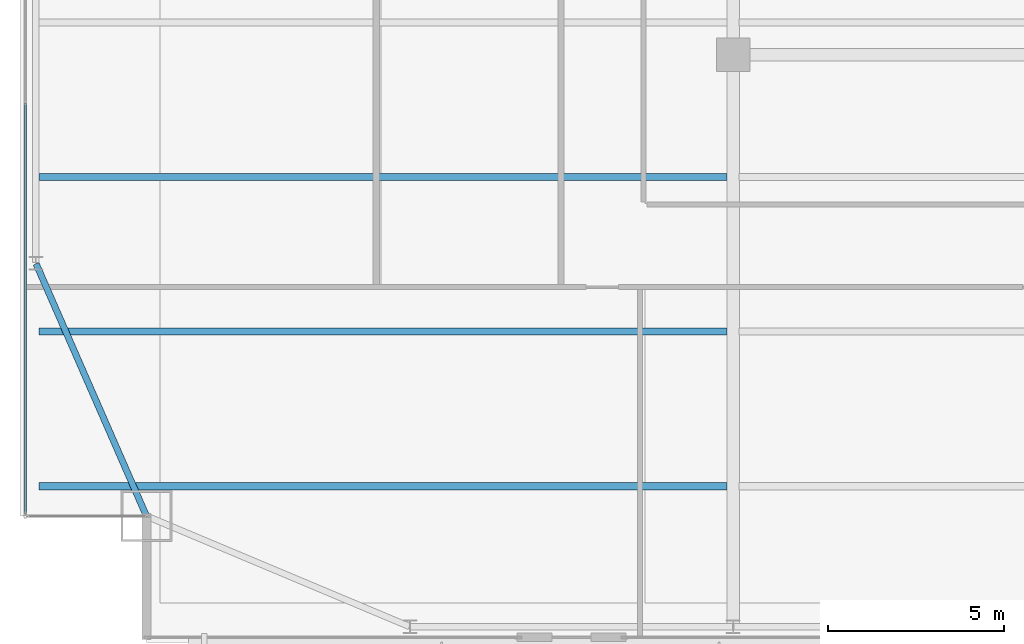
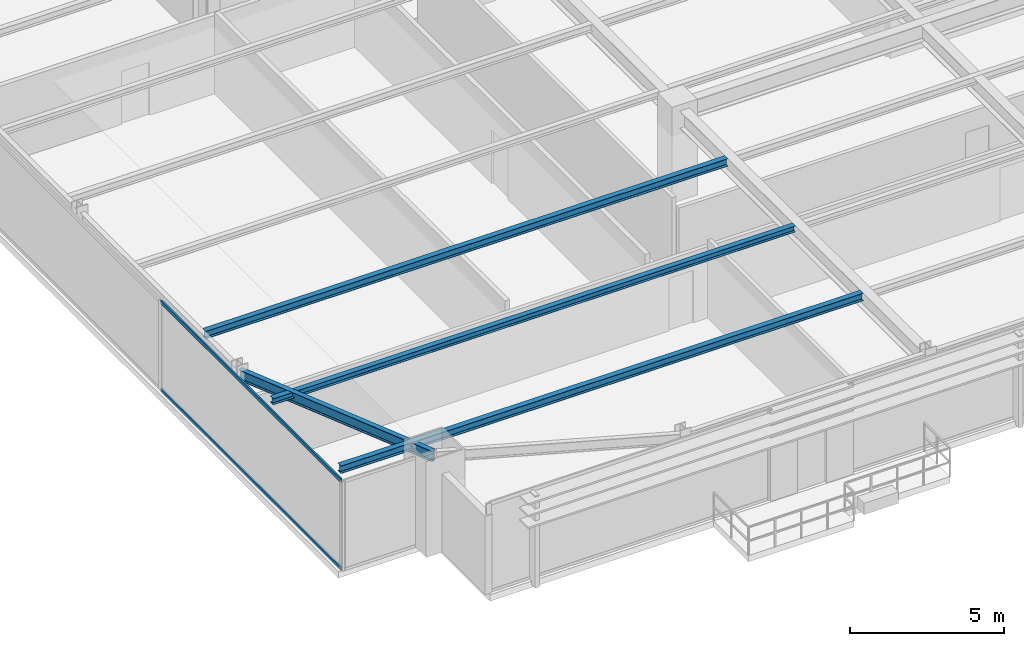
# One storey, part 5 of 32: 4 beams, 2 members, 1 element without a shape of its own.
"""IFC4 building model written with IfcOpenShell, lengths in metres."""

from ifc_helpers import new_model, si_unit, direction, frame, origin, origin_2d, place, context, subcontext, project, spatial, hollow_rectangle, i_section, extrude, source, transform, mapped, material, layer, layer_set, material_profile, profile_set, type_object, type_shapes, element, aggregate, save


model = new_model("IFC4")

# Units and contexts
model_context = context("Model", 3, precision=1e-05, world=origin(), true_north=direction((0.0, 1.0)))
body_context = subcontext(model_context, "Body", "Model", "MODEL_VIEW")
ifc_project = project(units=[si_unit("LENGTHUNIT", "METRE"), si_unit("AREAUNIT", "SQUARE_METRE"), si_unit("VOLUMEUNIT", "CUBIC_METRE"), si_unit("PLANEANGLEUNIT", "RADIAN"), si_unit("MASSUNIT", "GRAM", prefix="KILO")], contexts=[model_context])

# Site, building, storey
site_placement = place(None, origin())
site = spatial("IfcSite", under=ifc_project, at=site_placement, CompositionType="ELEMENT")
building_placement = place(site_placement, origin())
building = spatial("IfcBuilding", under=site, at=building_placement, Name="Varnel Quay Broadcast Tower", CompositionType="ELEMENT")
storey_placement = place(building_placement, frame((0.0, 0.0, 133.39990234375)))
storey = spatial("IfcBuildingStorey", under=building, at=storey_placement, Name="L32", CompositionType="ELEMENT", Elevation=133.39990234375)

# Beams
ifc_material_1 = material(Name="Structural Steel CSA G40.21 350W", Category="steel")
ifc_material_profile_1 = material_profile(ifc_material_1, i_section(OverallWidth=0.180908203125, OverallDepth=0.4169921875, WebThickness=0.010986328125, FlangeThickness=0.018310546875, FilletRadius=0.011962890625, at=origin_2d()), Name="W410X85")
ifc_profile_set_1 = profile_set([ifc_material_profile_1], Name="Structural Steel CSA G40.21 350W")
beam_type_1 = type_object("IfcBeamType", Name="Beam_W410X85", PredefinedType="SPANDREL", material=ifc_profile_set_1)
shared_shape_1 = source(origin(), body_context, "Body", "SweptSolid", [
    extrude(i_section(OverallWidth=0.180908203125, OverallDepth=0.4169921875, WebThickness=0.010986328125, FlangeThickness=0.018310546875, FilletRadius=0.011962890625, at=origin_2d()), origin(), (0.0, 0.0, 1.0), 7.81884765625),
])
type_shapes(beam_type_1, [shared_shape_1])
beam_1_placement = place(storey_placement, frame((8.092041015625, 7.818359375, 3.341552734375), z_axis=(-0.400827023998, 0.916153751743, 0.0), x_axis=(-0.916153751743, -0.400827023998, 0.0)))
element("IfcBeam", 1, at=beam_1_placement, inside=storey, type_object=beam_type_1, Name="L32 West Spandrel MC-SW-TC-W1", PredefinedType="SPANDREL", context=body_context, shape_type="MappedRepresentation", body=[
    mapped(shared_shape_1, transform((0.0, 0.0, 0.0), x_axis=(1.0, 0.0, 0.0), y_axis=(0.0, 1.0, 0.0), z_axis=(0.0, 0.0, 1.0), scale=1.0)),
])
ifc_material_profile_2 = material_profile(ifc_material_1, i_section(OverallWidth=0.202880859375, OverallDepth=0.302978515625, WebThickness=0.007568359375, FlangeThickness=0.01318359375, FilletRadius=0.011962890625, at=origin_2d()), Name="W310X60")
ifc_profile_set_2 = profile_set([ifc_material_profile_2], Name="Structural Steel CSA G40.21 350W")
beam_type_2 = type_object("IfcBeamType", Name="Beam_W310X60", PredefinedType="JOIST", material=ifc_profile_set_2)
shared_shape_2 = source(origin(), body_context, "Body", "SweptSolid", [
    extrude(i_section(OverallWidth=0.202880859375, OverallDepth=0.302978515625, WebThickness=0.007568359375, FlangeThickness=0.01318359375, FilletRadius=0.011962890625, at=origin_2d()), origin(), (0.0, 0.0, 1.0), 19.592041015625),
])
type_shapes(beam_type_2, [shared_shape_2])
for number, where, z_axis, x_axis, name in (
    (2, (5.035400390625, 8.64990234375, 3.398681640625), (1.0, 0.0, 0.0), (0.0, 1.0, 0.0), "L32 West Floor Joist 1"),
    (3, (5.035400390625, 17.449951171875, 3.398681640625), (1.0, 0.0, 0.0), (0.0, 1.0, 0.0), "L32 West Floor Joist 3"),
):
    element("IfcBeam", number, at=place(storey_placement, frame(where, z_axis=z_axis, x_axis=x_axis)), inside=storey, type_object=beam_type_2, Name=name, PredefinedType="JOIST", context=body_context, shape_type="MappedRepresentation", body=[
        mapped(shared_shape_2, transform((0.0, 0.0, 0.0), x_axis=(1.0, 0.0, 0.0), y_axis=(0.0, 1.0, 0.0), z_axis=(0.0, 0.0, 1.0), scale=1.0)),
    ])
ifc_material_profile_3 = material_profile(ifc_material_1, i_section(OverallWidth=0.201904296875, OverallDepth=0.2470703125, WebThickness=0.00732421875, FlangeThickness=0.010986328125, FilletRadius=0.010986328125, at=origin_2d()), Name="W250X49")
ifc_profile_set_3 = profile_set([ifc_material_profile_3], Name="Structural Steel CSA G40.21 350W")
beam_type_3 = type_object("IfcBeamType", Name="Beam_W250X49", PredefinedType="JOIST", material=ifc_profile_set_3)
shared_shape_3 = source(origin(), body_context, "Body", "SweptSolid", [
    extrude(i_section(OverallWidth=0.201904296875, OverallDepth=0.2470703125, WebThickness=0.00732421875, FlangeThickness=0.010986328125, FilletRadius=0.010986328125, at=origin_2d()), origin(), (0.0, 0.0, 1.0), 19.592041015625),
])
type_shapes(beam_type_3, [shared_shape_3])
beam_2_placement = place(storey_placement, frame((5.035400390625, 13.050048828125, 3.426513671875), z_axis=(1.0, 0.0, 0.0), x_axis=(0.0, 1.0, 0.0)))
element("IfcBeam", 4, at=beam_2_placement, inside=storey, type_object=beam_type_3, Name="L32 West Floor Joist 2", PredefinedType="JOIST", context=body_context, shape_type="MappedRepresentation", body=[
    mapped(shared_shape_3, transform((0.0, 0.0, 0.0), x_axis=(1.0, 0.0, 0.0), y_axis=(0.0, 1.0, 0.0), z_axis=(0.0, 0.0, 1.0), scale=1.0)),
])

# Curtain wall, members
ifc_material_2 = material(Name="Anodised Bronze Aluminium 6063-T6", Category="aluminium")
ifc_layer = layer(ifc_material_2, 0.18994140625, Name="Anodised Bronze Aluminium 6063-T6")
ifc_layer_set = layer_set([ifc_layer], Name="Anodised Bronze Aluminium 6063-T6")
curtain_wall_type = type_object("IfcCurtainWallType", Name="CW_LowerTower", PredefinedType="NOTDEFINED", material=ifc_layer_set)
curtain_wall_placement = place(storey_placement, origin())
curtain_wall = element("IfcCurtainWall", 5, at=curtain_wall_placement, inside=storey, type_object=curtain_wall_type, Name="L32 West Unitised Curtain Wall", PredefinedType="NOTDEFINED")
ifc_material_profile_4 = material_profile(ifc_material_2, hollow_rectangle(XDim=0.06005859375, YDim=0.14501953125, WallThickness=0.00341796875, at=origin_2d()), Name="ALU60X145X3.5")
ifc_profile_set_4 = profile_set([ifc_material_profile_4], Name="Anodised Bronze Aluminium 6063-T6")
member_type = type_object("IfcMemberType", Name="Tran_CWS-02", PredefinedType="USERDEFINED", material=ifc_profile_set_4)
shared_shape_4 = source(origin(), body_context, "Body", "SweptSolid", [
    extrude(hollow_rectangle(XDim=0.06005859375, YDim=0.14501953125, WallThickness=0.00341796875, at=origin_2d()), origin(), (0.0, 0.0, 1.0), 11.69482421875),
])
type_shapes(member_type, [shared_shape_4])
member_1_placement = place(storey_placement, frame((4.64990234375, 7.8701171875, 0.030029296875), z_axis=(0.0, 1.0, 0.0), x_axis=(-1.0, 0.0, 0.0)))
member_1 = element("IfcMember", 6, at=member_1_placement, type_object=member_type, Name="CWS-02 transom 1.1", ObjectType="TRANSOM", PredefinedType="USERDEFINED", context=body_context, shape_type="MappedRepresentation", body=[
    mapped(shared_shape_4, transform((0.0, 0.0, 0.0), x_axis=(1.0, 0.0, 0.0), y_axis=(0.0, 1.0, 0.0), z_axis=(0.0, 0.0, 1.0), scale=1.0)),
])
member_2_placement = place(storey_placement, frame((4.64990234375, 7.8701171875, 3.52001953125), z_axis=(0.0, 1.0, 0.0), x_axis=(-1.0, 0.0, 0.0)))
member_2 = element("IfcMember", 7, at=member_2_placement, type_object=member_type, Name="CWS-02 transom 1.2", ObjectType="TRANSOM", PredefinedType="USERDEFINED", context=body_context, shape_type="MappedRepresentation", body=[
    mapped(shared_shape_4, transform((0.0, 0.0, 0.0), x_axis=(1.0, 0.0, 0.0), y_axis=(0.0, 1.0, 0.0), z_axis=(0.0, 0.0, 1.0), scale=1.0)),
])
aggregate(curtain_wall, [member_1, member_2])

save(model, "model.ifc")
